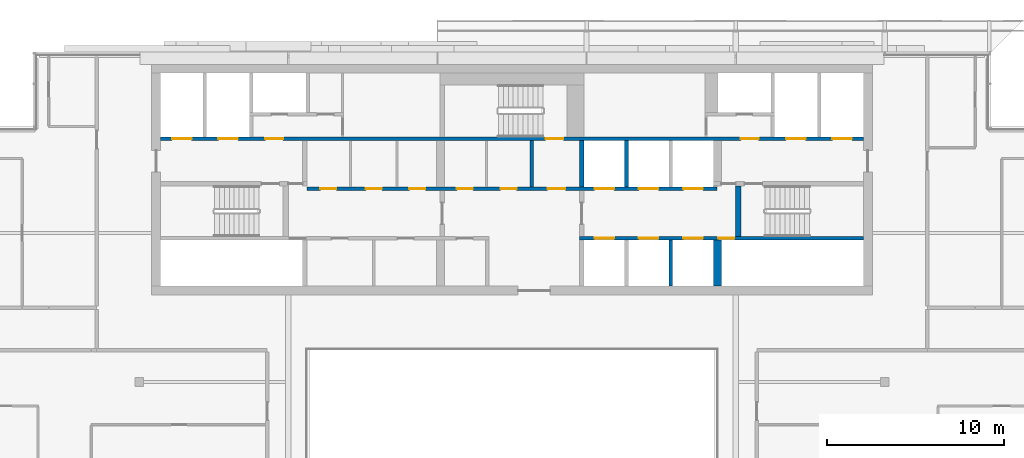
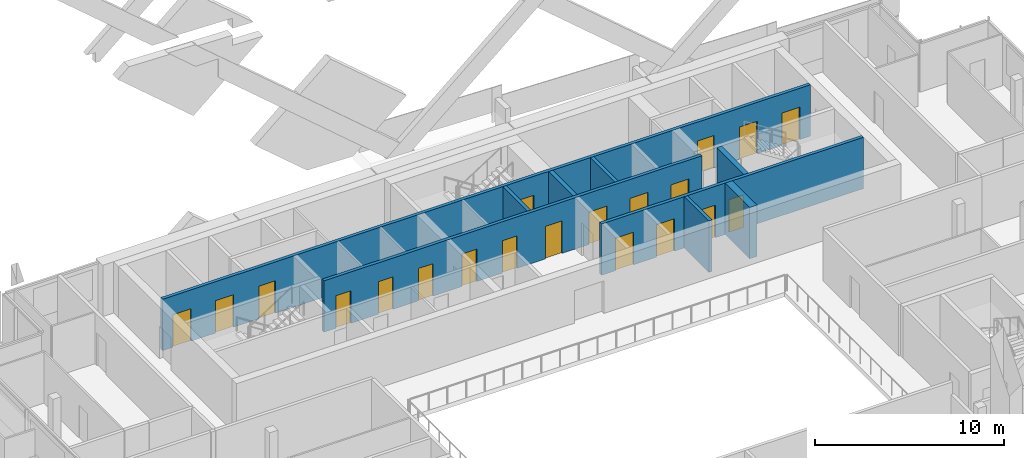
# One storey, part 14 of 22: 20 doors, 9 walls, 20 openings.
"""IFC4 building model written with IfcOpenShell, lengths in metres."""

from ifc_helpers import new_model, si_unit, direction, frame, frame_2d, origin, place, context, subcontext, project, spatial, rectangle, extrude, material, layer, layer_set, type_object, element, fill, save


model = new_model("IFC4")

# Units and contexts
model_context = context("Model", 3, precision=1e-05, world=origin(), true_north=direction((0.0, 1.0)))
body_context = subcontext(model_context, "Body", "Model", "MODEL_VIEW")
ifc_project = project(units=[si_unit("LENGTHUNIT", "METRE"), si_unit("AREAUNIT", "SQUARE_METRE"), si_unit("VOLUMEUNIT", "CUBIC_METRE"), si_unit("PLANEANGLEUNIT", "RADIAN"), si_unit("MASSUNIT", "GRAM", prefix="KILO")], contexts=[model_context])

# Site, building, storey
site_placement = place(None, origin())
site = spatial("IfcSite", under=ifc_project, at=site_placement, CompositionType="ELEMENT")
building_placement = place(site_placement, origin())
building = spatial("IfcBuilding", under=site, at=building_placement, Name="Saffron Gate Tower", CompositionType="ELEMENT")
storey_placement = place(building_placement, frame((0.0, 0.0, 285.14990234375)))
storey = spatial("IfcBuildingStorey", under=building, at=storey_placement, Name="L69", CompositionType="ELEMENT", Elevation=285.14990234375)

# Walls
ifc_material_1 = material(Name="Gypsum board partition on steel studs", Category="steel")
ifc_layer_1 = layer(ifc_material_1, 0.199951171875)
ifc_layer_set_1 = layer_set([ifc_layer_1], Name="CW10 Core partition 200")
wall_type_1 = type_object("IfcWallType", Name="CW10 Core partition 200", PredefinedType="PARTITIONING", material=ifc_layer_set_1)
wall_1_placement = place(storey_placement, frame((88.699951171875, 68.0, 0.0), z_axis=(0.0, 0.0, 1.0), x_axis=(0.0, 1.0, 0.0)))
element("IfcWall", 1, at=wall_1_placement, inside=storey, type_object=wall_type_1, Name="Wall CW10-L69-24", PredefinedType="PARTITIONING", context=body_context, shape_type="SweptSolid", body=[
    extrude(rectangle(XDim=2.60009765625, YDim=0.199951171875, at=frame_2d((1.300048828125, 0.0))), origin(), (0.0, 0.0, 1.0), 3.320068359375),
])
ifc_material_2 = material(Name="Concrete C50", Category="concrete")
ifc_layer_2 = layer(ifc_material_2, 0.25)
ifc_layer_set_2 = layer_set([ifc_layer_2], Name="CW23 RC core wall 250 C50")
wall_type_2 = type_object("IfcWallType", Name="CW23 RC core wall 250 C50", PredefinedType="SOLIDWALL", material=ifc_layer_set_2)
wall_2_placement = place(storey_placement, frame((91.52490234375, 68.0, 0.0), z_axis=(0.0, 0.0, 1.0), x_axis=(0.0, 1.0, 0.0)))
element("IfcWall", 2, at=wall_2_placement, inside=storey, type_object=wall_type_2, Name="Wall CW23-L69-25", PredefinedType="SOLIDWALL", context=body_context, shape_type="SweptSolid", body=[
    extrude(rectangle(XDim=2.60009765625, YDim=0.25, at=frame_2d((1.300048828125, 0.0))), origin(), (0.0, 0.0, 1.0), 3.320068359375),
])
ifc_layer_3 = layer(ifc_material_2, 0.449951171875)
ifc_layer_set_3 = layer_set([ifc_layer_3], Name="CW24 RC core wall 450 C50")
wall_type_3 = type_object("IfcWallType", Name="CW24 RC core wall 450 C50", PredefinedType="SOLIDWALL", material=ifc_layer_set_3)
wall_3_placement = place(storey_placement, frame((99.175048828125, 62.39990234375, 0.0), z_axis=(0.0, 0.0, 1.0), x_axis=(0.0, 1.0, 0.0)))
element("IfcWall", 3, at=wall_3_placement, inside=storey, type_object=wall_type_3, Name="Wall CW24-L69-12", PredefinedType="SOLIDWALL", context=body_context, shape_type="SweptSolid", body=[
    extrude(rectangle(XDim=2.60009765625, YDim=0.449951171875, at=frame_2d((1.300048828125, 0.0))), origin(), (0.0, 0.0, 1.0), 3.320068359375),
])
ifc_layer_4 = layer(ifc_material_2, 0.199951171875)
ifc_layer_set_4 = layer_set([ifc_layer_4], Name="CW25 RC core wall 200 C50")
wall_type_4 = type_object("IfcWallType", Name="CW25 RC core wall 200 C50", PredefinedType="SOLIDWALL", material=ifc_layer_set_4)
wall_4_placement = place(storey_placement, frame((96.550048828125, 62.39990234375, 0.0), z_axis=(0.0, 0.0, 1.0), x_axis=(0.0, 1.0, 0.0)))
element("IfcWall", 4, at=wall_4_placement, inside=storey, type_object=wall_type_4, Name="Wall CW25-L69-11", PredefinedType="SOLIDWALL", context=body_context, shape_type="SweptSolid", body=[
    extrude(rectangle(XDim=2.60009765625, YDim=0.199951171875, at=frame_2d((1.300048828125, 0.0))), origin(), (0.0, 0.0, 1.0), 3.320068359375),
])

# Wall, openings, doors
wall_5_placement = place(storey_placement, frame((91.39990234375, 65.10009765625, 0.0), z_axis=(0.0, 0.0, 1.0), x_axis=(1.0, 0.0, 0.0)))
wall_5 = element("IfcWall", 5, at=wall_5_placement, inside=storey, type_object=wall_type_4, Name="Wall CW25-L69-14", PredefinedType="SOLIDWALL", context=body_context, shape_type="SweptSolid", body=[
    extrude(rectangle(XDim=16.0, YDim=0.199951171875, at=frame_2d((8.0, 0.0))), origin(), (0.0, 0.0, 1.0), 3.320068359375),
])
opening_1_placement = place(wall_5_placement, frame((0.85009765625, 0.0, 0.0)))
opening_1 = element("IfcOpeningElement", 6, at=opening_1_placement, cuts=wall_5, Name="Opening LD-HR1", PredefinedType="OPENING", context=body_context, shape_type="SweptSolid", body=[
    extrude(rectangle(XDim=1.10009765625, YDim=2.10009765625, at=frame_2d((0.550048828125, 1.050048828125))), frame((0.0, 0.10986328125, 0.0), z_axis=(0.0, -1.0, 0.0), x_axis=(1.0, 0.0, 0.0)), (0.0, 0.0, 1.0), 0.219970703125),
])
opening_2_placement = place(wall_5_placement, frame((3.35009765625, 0.0, 0.0)))
opening_2 = element("IfcOpeningElement", 7, at=opening_2_placement, cuts=wall_5, Name="Opening LD-HR2", PredefinedType="OPENING", context=body_context, shape_type="SweptSolid", body=[
    extrude(rectangle(XDim=1.10009765625, YDim=2.10009765625, at=frame_2d((0.550048828125, 1.050048828125))), frame((0.0, 0.10986328125, 0.0), z_axis=(0.0, -1.0, 0.0), x_axis=(1.0, 0.0, 0.0)), (0.0, 0.0, 1.0), 0.219970703125),
])
opening_3_placement = place(wall_5_placement, frame((5.85009765625, 0.0, 0.0)))
opening_3 = element("IfcOpeningElement", 8, at=opening_3_placement, cuts=wall_5, Name="Opening LD-HR3", PredefinedType="OPENING", context=body_context, shape_type="SweptSolid", body=[
    extrude(rectangle(XDim=1.10009765625, YDim=2.10009765625, at=frame_2d((0.550048828125, 1.050048828125))), frame((0.0, 0.10986328125, 0.0), z_axis=(0.0, -1.0, 0.0), x_axis=(1.0, 0.0, 0.0)), (0.0, 0.0, 1.0), 0.219970703125),
])
opening_4_placement = place(wall_5_placement, frame((7.830078125, 0.0, 0.0)))
opening_4 = element("IfcOpeningElement", 9, at=opening_4_placement, cuts=wall_5, Name="Opening CR-48", PredefinedType="OPENING", context=body_context, shape_type="SweptSolid", body=[
    extrude(rectangle(XDim=0.89990234375, YDim=2.10009765625, at=frame_2d((0.449951171875, 1.050048828125))), frame((0.0, 0.10986328125, 0.0), z_axis=(0.0, -1.0, 0.0), x_axis=(1.0, 0.0, 0.0)), (0.0, 0.0, 1.0), 0.219970703125),
])
ifc_material_3 = material(Name="Steel fire door set", Category="steel")
door_type_1 = type_object("IfcDoorType", Name="CD2 Riser door 900x2100 EI 60", OperationType="NOTDEFINED", PredefinedType="DOOR", material=ifc_material_3)
door_1_placement = place(opening_4_placement, origin())
door_1 = element("IfcDoor", 10, at=door_1_placement, inside=storey, type_object=door_type_1, Name="DOOR CR-48", OperationType="SINGLE_SWING_RIGHT", OverallHeight=2.10009765625, OverallWidth=0.89990234375, PredefinedType="DOOR", context=body_context, shape_type="SweptSolid", body=[
    extrude(rectangle(XDim=0.89990234375, YDim=2.10009765625, at=frame_2d((0.449951171875, 1.050048828125))), frame((0.0, 0.02490234375, 0.0), z_axis=(0.0, -1.0, 0.0), x_axis=(1.0, 0.0, 0.0)), (0.0, 0.0, 1.0), 0.050048828125),
])
fill(opening_4, door_1)
ifc_material_4 = material(Name="Stainless steel landing door", Category="steel")
door_type_2 = type_object("IfcDoorType", Name="LD Lift landing door 1100x2100 EI 120", OperationType="SLIDING_TO_LEFT", PredefinedType="DOOR", material=ifc_material_4)
door_2_placement = place(opening_1_placement, origin())
door_2 = element("IfcDoor", 11, at=door_2_placement, inside=storey, type_object=door_type_2, Name="LANDING DOOR LD-HR1", OperationType="SLIDING_TO_LEFT", OverallHeight=2.10009765625, OverallWidth=1.10009765625, PredefinedType="DOOR", context=body_context, shape_type="SweptSolid", body=[
    extrude(rectangle(XDim=1.10009765625, YDim=2.10009765625, at=frame_2d((0.550048828125, 1.050048828125))), frame((0.0, 0.02490234375, 0.0), z_axis=(0.0, -1.0, 0.0), x_axis=(1.0, 0.0, 0.0)), (0.0, 0.0, 1.0), 0.050048828125),
])
fill(opening_1, door_2)
door_3_placement = place(opening_2_placement, origin())
door_3 = element("IfcDoor", 12, at=door_3_placement, inside=storey, type_object=door_type_2, Name="LANDING DOOR LD-HR2", OperationType="SLIDING_TO_LEFT", OverallHeight=2.10009765625, OverallWidth=1.10009765625, PredefinedType="DOOR", context=body_context, shape_type="SweptSolid", body=[
    extrude(rectangle(XDim=1.10009765625, YDim=2.10009765625, at=frame_2d((0.550048828125, 1.050048828125))), frame((0.0, 0.02490234375, 0.0), z_axis=(0.0, -1.0, 0.0), x_axis=(1.0, 0.0, 0.0)), (0.0, 0.0, 1.0), 0.050048828125),
])
fill(opening_2, door_3)
door_4_placement = place(opening_3_placement, origin())
door_4 = element("IfcDoor", 13, at=door_4_placement, inside=storey, type_object=door_type_2, Name="LANDING DOOR LD-HR3", OperationType="SLIDING_TO_LEFT", OverallHeight=2.10009765625, OverallWidth=1.10009765625, PredefinedType="DOOR", context=body_context, shape_type="SweptSolid", body=[
    extrude(rectangle(XDim=1.10009765625, YDim=2.10009765625, at=frame_2d((0.550048828125, 1.050048828125))), frame((0.0, 0.02490234375, 0.0), z_axis=(0.0, -1.0, 0.0), x_axis=(1.0, 0.0, 0.0)), (0.0, 0.0, 1.0), 0.050048828125),
])
fill(opening_3, door_4)

wall_6_placement = place(storey_placement, frame((76.050048828125, 67.89990234375, 0.0), z_axis=(0.0, 0.0, 1.0), x_axis=(1.0, 0.0, 0.0)))
wall_6 = element("IfcWall", 14, at=wall_6_placement, inside=storey, type_object=wall_type_4, Name="Wall CW25-L69-19", PredefinedType="SOLIDWALL", context=body_context, shape_type="SweptSolid", body=[
    extrude(rectangle(XDim=23.099853515625, YDim=0.199951171875, at=frame_2d((11.5498046875, 0.0))), origin(), (0.0, 0.0, 1.0), 3.320068359375),
])
opening_5_placement = place(wall_6_placement, frame((0.75, 0.0, 0.0)))
opening_5 = element("IfcOpeningElement", 15, at=opening_5_placement, cuts=wall_6, Name="Opening CR-61", PredefinedType="OPENING", context=body_context, shape_type="SweptSolid", body=[
    extrude(rectangle(XDim=0.89990234375, YDim=2.10009765625, at=frame_2d((0.449951171875, 1.050048828125))), frame((0.0, 0.10986328125, 0.0), z_axis=(0.0, -1.0, 0.0), x_axis=(1.0, 0.0, 0.0)), (0.0, 0.0, 1.0), 0.219970703125),
])
opening_6_placement = place(wall_6_placement, frame((3.320068359375, 0.0, 0.0)))
opening_6 = element("IfcOpeningElement", 16, at=opening_6_placement, cuts=wall_6, Name="Opening CR-62", PredefinedType="OPENING", context=body_context, shape_type="SweptSolid", body=[
    extrude(rectangle(XDim=0.89990234375, YDim=2.10009765625, at=frame_2d((0.449951171875, 1.050048828125))), frame((0.0, 0.10986328125, 0.0), z_axis=(0.0, -1.0, 0.0), x_axis=(1.0, 0.0, 0.0)), (0.0, 0.0, 1.0), 0.219970703125),
])
opening_7_placement = place(wall_6_placement, frame((5.77001953125, 0.0, 0.0)))
opening_7 = element("IfcOpeningElement", 17, at=opening_7_placement, cuts=wall_6, Name="Opening CR-63", PredefinedType="OPENING", context=body_context, shape_type="SweptSolid", body=[
    extrude(rectangle(XDim=0.89990234375, YDim=2.10009765625, at=frame_2d((0.449951171875, 1.050048828125))), frame((0.0, 0.10986328125, 0.0), z_axis=(0.0, -1.0, 0.0), x_axis=(1.0, 0.0, 0.0)), (0.0, 0.0, 1.0), 0.219970703125),
])
opening_8_placement = place(wall_6_placement, frame((8.449951171875, 0.0, 0.0)))
opening_8 = element("IfcOpeningElement", 18, at=opening_8_placement, cuts=wall_6, Name="Opening CR-67", PredefinedType="OPENING", context=body_context, shape_type="SweptSolid", body=[
    extrude(rectangle(XDim=0.89990234375, YDim=2.10009765625, at=frame_2d((0.449951171875, 1.050048828125))), frame((0.0, 0.10986328125, 0.0), z_axis=(0.0, -1.0, 0.0), x_axis=(1.0, 0.0, 0.0)), (0.0, 0.0, 1.0), 0.219970703125),
])
opening_9_placement = place(wall_6_placement, frame((10.909912109375, 0.0, 0.0)))
opening_9 = element("IfcOpeningElement", 19, at=opening_9_placement, cuts=wall_6, Name="Opening CR-68", PredefinedType="OPENING", context=body_context, shape_type="SweptSolid", body=[
    extrude(rectangle(XDim=0.89990234375, YDim=2.10009765625, at=frame_2d((0.449951171875, 1.050048828125))), frame((0.0, 0.10986328125, 0.0), z_axis=(0.0, -1.0, 0.0), x_axis=(1.0, 0.0, 0.0)), (0.0, 0.0, 1.0), 0.219970703125),
])
opening_10_placement = place(wall_6_placement, frame((13.550048828125, 0.0, 0.0)))
opening_10 = element("IfcOpeningElement", 20, at=opening_10_placement, cuts=wall_6, Name="Opening CR-02", PredefinedType="OPENING", context=body_context, shape_type="SweptSolid", body=[
    extrude(rectangle(XDim=1.0, YDim=2.10009765625, at=frame_2d((0.5, 1.050048828125))), frame((0.0, 0.10986328125, 0.0), z_axis=(0.0, -1.0, 0.0), x_axis=(1.0, 0.0, 0.0)), (0.0, 0.0, 1.0), 0.219970703125),
])
opening_11_placement = place(wall_6_placement, frame((16.199951171875, 0.0, 0.0)))
opening_11 = element("IfcOpeningElement", 21, at=opening_11_placement, cuts=wall_6, Name="Opening LD-HR4", PredefinedType="OPENING", context=body_context, shape_type="SweptSolid", body=[
    extrude(rectangle(XDim=1.10009765625, YDim=2.10009765625, at=frame_2d((0.550048828125, 1.050048828125))), frame((0.0, 0.10986328125, 0.0), z_axis=(0.0, -1.0, 0.0), x_axis=(1.0, 0.0, 0.0)), (0.0, 0.0, 1.0), 0.219970703125),
])
opening_12_placement = place(wall_6_placement, frame((18.699951171875, 0.0, 0.0)))
opening_12 = element("IfcOpeningElement", 22, at=opening_12_placement, cuts=wall_6, Name="Opening LD-HR5", PredefinedType="OPENING", context=body_context, shape_type="SweptSolid", body=[
    extrude(rectangle(XDim=1.10009765625, YDim=2.10009765625, at=frame_2d((0.550048828125, 1.050048828125))), frame((0.0, 0.10986328125, 0.0), z_axis=(0.0, -1.0, 0.0), x_axis=(1.0, 0.0, 0.0)), (0.0, 0.0, 1.0), 0.219970703125),
])
opening_13_placement = place(wall_6_placement, frame((21.199951171875, 0.0, 0.0)))
opening_13 = element("IfcOpeningElement", 23, at=opening_13_placement, cuts=wall_6, Name="Opening LD-HR6", PredefinedType="OPENING", context=body_context, shape_type="SweptSolid", body=[
    extrude(rectangle(XDim=1.10009765625, YDim=2.10009765625, at=frame_2d((0.550048828125, 1.050048828125))), frame((0.0, 0.10986328125, 0.0), z_axis=(0.0, -1.0, 0.0), x_axis=(1.0, 0.0, 0.0)), (0.0, 0.0, 1.0), 0.219970703125),
])
door_type_3 = type_object("IfcDoorType", Name="CD4 Lobby door 1000x2100 EI 120", OperationType="NOTDEFINED", PredefinedType="DOOR", material=ifc_material_3)
door_5_placement = place(opening_10_placement, origin())
door_5 = element("IfcDoor", 24, at=door_5_placement, inside=storey, type_object=door_type_3, Name="DOOR CR-02", OperationType="SINGLE_SWING_LEFT", OverallHeight=2.10009765625, OverallWidth=1.0, PredefinedType="DOOR", context=body_context, shape_type="SweptSolid", body=[
    extrude(rectangle(XDim=1.0, YDim=2.10009765625, at=frame_2d((0.5, 1.050048828125))), frame((0.0, 0.02490234375, 0.0), z_axis=(0.0, -1.0, 0.0), x_axis=(1.0, 0.0, 0.0)), (0.0, 0.0, 1.0), 0.050048828125),
])
fill(opening_10, door_5)
door_type_4 = type_object("IfcDoorType", Name="CD9 Room door 900x2100 EI 60", OperationType="NOTDEFINED", PredefinedType="DOOR", material=ifc_material_3)
door_6_placement = place(opening_5_placement, origin())
door_6 = element("IfcDoor", 25, at=door_6_placement, inside=storey, type_object=door_type_4, Name="DOOR CR-61", OperationType="SINGLE_SWING_LEFT", OverallHeight=2.10009765625, OverallWidth=0.89990234375, PredefinedType="DOOR", context=body_context, shape_type="SweptSolid", body=[
    extrude(rectangle(XDim=0.89990234375, YDim=2.10009765625, at=frame_2d((0.449951171875, 1.050048828125))), frame((0.0, 0.02490234375, 0.0), z_axis=(0.0, -1.0, 0.0), x_axis=(1.0, 0.0, 0.0)), (0.0, 0.0, 1.0), 0.050048828125),
])
fill(opening_5, door_6)
door_7_placement = place(opening_6_placement, origin())
door_7 = element("IfcDoor", 26, at=door_7_placement, inside=storey, type_object=door_type_4, Name="DOOR CR-62", OperationType="SINGLE_SWING_LEFT", OverallHeight=2.10009765625, OverallWidth=0.89990234375, PredefinedType="DOOR", context=body_context, shape_type="SweptSolid", body=[
    extrude(rectangle(XDim=0.89990234375, YDim=2.10009765625, at=frame_2d((0.449951171875, 1.050048828125))), frame((0.0, 0.02490234375, 0.0), z_axis=(0.0, -1.0, 0.0), x_axis=(1.0, 0.0, 0.0)), (0.0, 0.0, 1.0), 0.050048828125),
])
fill(opening_6, door_7)
door_8_placement = place(opening_7_placement, origin())
door_8 = element("IfcDoor", 27, at=door_8_placement, inside=storey, type_object=door_type_4, Name="DOOR CR-63", OperationType="SINGLE_SWING_LEFT", OverallHeight=2.10009765625, OverallWidth=0.89990234375, PredefinedType="DOOR", context=body_context, shape_type="SweptSolid", body=[
    extrude(rectangle(XDim=0.89990234375, YDim=2.10009765625, at=frame_2d((0.449951171875, 1.050048828125))), frame((0.0, 0.02490234375, 0.0), z_axis=(0.0, -1.0, 0.0), x_axis=(1.0, 0.0, 0.0)), (0.0, 0.0, 1.0), 0.050048828125),
])
fill(opening_7, door_8)
door_9_placement = place(opening_8_placement, origin())
door_9 = element("IfcDoor", 28, at=door_9_placement, inside=storey, type_object=door_type_4, Name="DOOR CR-67", OperationType="SINGLE_SWING_LEFT", OverallHeight=2.10009765625, OverallWidth=0.89990234375, PredefinedType="DOOR", context=body_context, shape_type="SweptSolid", body=[
    extrude(rectangle(XDim=0.89990234375, YDim=2.10009765625, at=frame_2d((0.449951171875, 1.050048828125))), frame((0.0, 0.02490234375, 0.0), z_axis=(0.0, -1.0, 0.0), x_axis=(1.0, 0.0, 0.0)), (0.0, 0.0, 1.0), 0.050048828125),
])
fill(opening_8, door_9)
door_10_placement = place(opening_9_placement, origin())
door_10 = element("IfcDoor", 29, at=door_10_placement, inside=storey, type_object=door_type_4, Name="DOOR CR-68", OperationType="SINGLE_SWING_LEFT", OverallHeight=2.10009765625, OverallWidth=0.89990234375, PredefinedType="DOOR", context=body_context, shape_type="SweptSolid", body=[
    extrude(rectangle(XDim=0.89990234375, YDim=2.10009765625, at=frame_2d((0.449951171875, 1.050048828125))), frame((0.0, 0.02490234375, 0.0), z_axis=(0.0, -1.0, 0.0), x_axis=(1.0, 0.0, 0.0)), (0.0, 0.0, 1.0), 0.050048828125),
])
fill(opening_9, door_10)
door_11_placement = place(opening_11_placement, origin())
door_11 = element("IfcDoor", 30, at=door_11_placement, inside=storey, type_object=door_type_2, Name="LANDING DOOR LD-HR4", OperationType="SLIDING_TO_RIGHT", OverallHeight=2.10009765625, OverallWidth=1.10009765625, PredefinedType="DOOR", context=body_context, shape_type="SweptSolid", body=[
    extrude(rectangle(XDim=1.10009765625, YDim=2.10009765625, at=frame_2d((0.550048828125, 1.050048828125))), frame((0.0, 0.02490234375, 0.0), z_axis=(0.0, -1.0, 0.0), x_axis=(1.0, 0.0, 0.0)), (0.0, 0.0, 1.0), 0.050048828125),
])
fill(opening_11, door_11)
door_12_placement = place(opening_12_placement, origin())
door_12 = element("IfcDoor", 31, at=door_12_placement, inside=storey, type_object=door_type_2, Name="LANDING DOOR LD-HR5", OperationType="SLIDING_TO_RIGHT", OverallHeight=2.10009765625, OverallWidth=1.10009765625, PredefinedType="DOOR", context=body_context, shape_type="SweptSolid", body=[
    extrude(rectangle(XDim=1.10009765625, YDim=2.10009765625, at=frame_2d((0.550048828125, 1.050048828125))), frame((0.0, 0.02490234375, 0.0), z_axis=(0.0, -1.0, 0.0), x_axis=(1.0, 0.0, 0.0)), (0.0, 0.0, 1.0), 0.050048828125),
])
fill(opening_12, door_12)
door_13_placement = place(opening_13_placement, origin())
door_13 = element("IfcDoor", 32, at=door_13_placement, inside=storey, type_object=door_type_2, Name="LANDING DOOR LD-HR6", OperationType="SLIDING_TO_RIGHT", OverallHeight=2.10009765625, OverallWidth=1.10009765625, PredefinedType="DOOR", context=body_context, shape_type="SweptSolid", body=[
    extrude(rectangle(XDim=1.10009765625, YDim=2.10009765625, at=frame_2d((0.550048828125, 1.050048828125))), frame((0.0, 0.02490234375, 0.0), z_axis=(0.0, -1.0, 0.0), x_axis=(1.0, 0.0, 0.0)), (0.0, 0.0, 1.0), 0.050048828125),
])
fill(opening_13, door_13)

# Wall
wall_7_placement = place(storey_placement, frame((94.050048828125, 68.0, 0.0), z_axis=(0.0, 0.0, 1.0), x_axis=(0.0, 1.0, 0.0)))
element("IfcWall", 33, at=wall_7_placement, inside=storey, type_object=wall_type_4, Name="Wall CW25-L69-26", PredefinedType="SOLIDWALL", context=body_context, shape_type="SweptSolid", body=[
    extrude(rectangle(XDim=2.60009765625, YDim=0.199951171875, at=frame_2d((1.300048828125, 0.0))), origin(), (0.0, 0.0, 1.0), 3.320068359375),
])

# Wall, openings, doors
wall_8_placement = place(storey_placement, frame((67.800048828125, 70.699951171875, 0.0), z_axis=(0.0, 0.0, 1.0), x_axis=(1.0, 0.0, 0.0)))
wall_8 = element("IfcWall", 34, at=wall_8_placement, inside=storey, type_object=wall_type_4, Name="Wall CW25-L69-33", PredefinedType="SOLIDWALL", context=body_context, shape_type="SweptSolid", body=[
    extrude(rectangle(XDim=39.599853515625, YDim=0.199951171875, at=frame_2d((19.7998046875, 0.0))), origin(), (0.0, 0.0, 1.0), 3.320068359375),
])
opening_14_placement = place(wall_8_placement, frame((0.64990234375, 0.0, 0.0)))
opening_14 = element("IfcOpeningElement", 35, at=opening_14_placement, cuts=wall_8, Name="Opening LD-FF1", PredefinedType="OPENING", context=body_context, shape_type="SweptSolid", body=[
    extrude(rectangle(XDim=1.10009765625, YDim=2.10009765625, at=frame_2d((0.550048828125, 1.050048828125))), frame((0.0, 0.10986328125, 0.0), z_axis=(0.0, -1.0, 0.0), x_axis=(1.0, 0.0, 0.0)), (0.0, 0.0, 1.0), 0.219970703125),
])
opening_15_placement = place(wall_8_placement, frame((3.25, 0.0, 0.0)))
opening_15 = element("IfcOpeningElement", 36, at=opening_15_placement, cuts=wall_8, Name="Opening LD-SV1", PredefinedType="OPENING", context=body_context, shape_type="SweptSolid", body=[
    extrude(rectangle(XDim=1.10009765625, YDim=2.10009765625, at=frame_2d((0.550048828125, 1.050048828125))), frame((0.0, 0.10986328125, 0.0), z_axis=(0.0, -1.0, 0.0), x_axis=(1.0, 0.0, 0.0)), (0.0, 0.0, 1.0), 0.219970703125),
])
opening_16_placement = place(wall_8_placement, frame((5.89990234375, 0.0, 0.0)))
opening_16 = element("IfcOpeningElement", 37, at=opening_16_placement, cuts=wall_8, Name="Opening CR-03", PredefinedType="OPENING", context=body_context, shape_type="SweptSolid", body=[
    extrude(rectangle(XDim=1.0, YDim=2.10009765625, at=frame_2d((0.5, 1.050048828125))), frame((0.0, 0.10986328125, 0.0), z_axis=(0.0, -1.0, 0.0), x_axis=(1.0, 0.0, 0.0)), (0.0, 0.0, 1.0), 0.219970703125),
])
opening_17_placement = place(wall_8_placement, frame((21.699951171875, 0.0, 0.0)))
opening_17 = element("IfcOpeningElement", 38, at=opening_17_placement, cuts=wall_8, Name="Opening CR-17", PredefinedType="OPENING", context=body_context, shape_type="SweptSolid", body=[
    extrude(rectangle(XDim=1.0, YDim=2.10009765625, at=frame_2d((0.5, 1.050048828125))), frame((0.0, 0.10986328125, 0.0), z_axis=(0.0, -1.0, 0.0), x_axis=(1.0, 0.0, 0.0)), (0.0, 0.0, 1.0), 0.219970703125),
])
opening_18_placement = place(wall_8_placement, frame((32.699951171875, 0.0, 0.0)))
opening_18 = element("IfcOpeningElement", 39, at=opening_18_placement, cuts=wall_8, Name="Opening CR-04", PredefinedType="OPENING", context=body_context, shape_type="SweptSolid", body=[
    extrude(rectangle(XDim=1.0, YDim=2.10009765625, at=frame_2d((0.5, 1.050048828125))), frame((0.0, 0.10986328125, 0.0), z_axis=(0.0, -1.0, 0.0), x_axis=(1.0, 0.0, 0.0)), (0.0, 0.0, 1.0), 0.219970703125),
])
opening_19_placement = place(wall_8_placement, frame((35.25, 0.0, 0.0)))
opening_19 = element("IfcOpeningElement", 40, at=opening_19_placement, cuts=wall_8, Name="Opening LD-SV2", PredefinedType="OPENING", context=body_context, shape_type="SweptSolid", body=[
    extrude(rectangle(XDim=1.10009765625, YDim=2.10009765625, at=frame_2d((0.550048828125, 1.050048828125))), frame((0.0, 0.10986328125, 0.0), z_axis=(0.0, -1.0, 0.0), x_axis=(1.0, 0.0, 0.0)), (0.0, 0.0, 1.0), 0.219970703125),
])
opening_20_placement = place(wall_8_placement, frame((37.85009765625, 0.0, 0.0)))
opening_20 = element("IfcOpeningElement", 41, at=opening_20_placement, cuts=wall_8, Name="Opening LD-FF2", PredefinedType="OPENING", context=body_context, shape_type="SweptSolid", body=[
    extrude(rectangle(XDim=1.10009765625, YDim=2.10009765625, at=frame_2d((0.550048828125, 1.050048828125))), frame((0.0, 0.10986328125, 0.0), z_axis=(0.0, -1.0, 0.0), x_axis=(1.0, 0.0, 0.0)), (0.0, 0.0, 1.0), 0.219970703125),
])
door_14_placement = place(opening_16_placement, origin())
door_14 = element("IfcDoor", 42, at=door_14_placement, inside=storey, type_object=door_type_3, Name="DOOR CR-03", OperationType="SINGLE_SWING_LEFT", OverallHeight=2.10009765625, OverallWidth=1.0, PredefinedType="DOOR", context=body_context, shape_type="SweptSolid", body=[
    extrude(rectangle(XDim=1.0, YDim=2.10009765625, at=frame_2d((0.5, 1.050048828125))), frame((0.0, 0.02490234375, 0.0), z_axis=(0.0, -1.0, 0.0), x_axis=(1.0, 0.0, 0.0)), (0.0, 0.0, 1.0), 0.050048828125),
])
fill(opening_16, door_14)
door_15_placement = place(opening_18_placement, origin())
door_15 = element("IfcDoor", 43, at=door_15_placement, inside=storey, type_object=door_type_3, Name="DOOR CR-04", OperationType="SINGLE_SWING_RIGHT", OverallHeight=2.10009765625, OverallWidth=1.0, PredefinedType="DOOR", context=body_context, shape_type="SweptSolid", body=[
    extrude(rectangle(XDim=1.0, YDim=2.10009765625, at=frame_2d((0.5, 1.050048828125))), frame((0.0, 0.02490234375, 0.0), z_axis=(0.0, -1.0, 0.0), x_axis=(1.0, 0.0, 0.0)), (0.0, 0.0, 1.0), 0.050048828125),
])
fill(opening_18, door_15)
door_type_5 = type_object("IfcDoorType", Name="CD5 Stair door 1000x2100 EI 120", OperationType="NOTDEFINED", PredefinedType="DOOR", material=ifc_material_3)
door_16_placement = place(opening_17_placement, origin())
door_16 = element("IfcDoor", 44, at=door_16_placement, inside=storey, type_object=door_type_5, Name="DOOR CR-17", OperationType="SINGLE_SWING_RIGHT", OverallHeight=2.10009765625, OverallWidth=1.0, PredefinedType="DOOR", context=body_context, shape_type="SweptSolid", body=[
    extrude(rectangle(XDim=1.0, YDim=2.10009765625, at=frame_2d((0.5, 1.050048828125))), frame((0.0, 0.02490234375, 0.0), z_axis=(0.0, -1.0, 0.0), x_axis=(1.0, 0.0, 0.0)), (0.0, 0.0, 1.0), 0.050048828125),
])
fill(opening_17, door_16)
door_17_placement = place(opening_14_placement, origin())
door_17 = element("IfcDoor", 45, at=door_17_placement, inside=storey, type_object=door_type_2, Name="LANDING DOOR LD-FF1", OperationType="SLIDING_TO_RIGHT", OverallHeight=2.10009765625, OverallWidth=1.10009765625, PredefinedType="DOOR", context=body_context, shape_type="SweptSolid", body=[
    extrude(rectangle(XDim=1.10009765625, YDim=2.10009765625, at=frame_2d((0.550048828125, 1.050048828125))), frame((0.0, 0.02490234375, 0.0), z_axis=(0.0, -1.0, 0.0), x_axis=(1.0, 0.0, 0.0)), (0.0, 0.0, 1.0), 0.050048828125),
])
fill(opening_14, door_17)
door_18_placement = place(opening_15_placement, origin())
door_18 = element("IfcDoor", 46, at=door_18_placement, inside=storey, type_object=door_type_2, Name="LANDING DOOR LD-SV1", OperationType="SLIDING_TO_RIGHT", OverallHeight=2.10009765625, OverallWidth=1.10009765625, PredefinedType="DOOR", context=body_context, shape_type="SweptSolid", body=[
    extrude(rectangle(XDim=1.10009765625, YDim=2.10009765625, at=frame_2d((0.550048828125, 1.050048828125))), frame((0.0, 0.02490234375, 0.0), z_axis=(0.0, -1.0, 0.0), x_axis=(1.0, 0.0, 0.0)), (0.0, 0.0, 1.0), 0.050048828125),
])
fill(opening_15, door_18)
door_19_placement = place(opening_19_placement, origin())
door_19 = element("IfcDoor", 47, at=door_19_placement, inside=storey, type_object=door_type_2, Name="LANDING DOOR LD-SV2", OperationType="SLIDING_TO_RIGHT", OverallHeight=2.10009765625, OverallWidth=1.10009765625, PredefinedType="DOOR", context=body_context, shape_type="SweptSolid", body=[
    extrude(rectangle(XDim=1.10009765625, YDim=2.10009765625, at=frame_2d((0.550048828125, 1.050048828125))), frame((0.0, 0.02490234375, 0.0), z_axis=(0.0, -1.0, 0.0), x_axis=(1.0, 0.0, 0.0)), (0.0, 0.0, 1.0), 0.050048828125),
])
fill(opening_19, door_19)
door_20_placement = place(opening_20_placement, origin())
door_20 = element("IfcDoor", 48, at=door_20_placement, inside=storey, type_object=door_type_2, Name="LANDING DOOR LD-FF2", OperationType="SLIDING_TO_RIGHT", OverallHeight=2.10009765625, OverallWidth=1.10009765625, PredefinedType="DOOR", context=body_context, shape_type="SweptSolid", body=[
    extrude(rectangle(XDim=1.10009765625, YDim=2.10009765625, at=frame_2d((0.550048828125, 1.050048828125))), frame((0.0, 0.02490234375, 0.0), z_axis=(0.0, -1.0, 0.0), x_axis=(1.0, 0.0, 0.0)), (0.0, 0.0, 1.0), 0.050048828125),
])
fill(opening_20, door_20)

# Wall
ifc_layer_5 = layer(ifc_material_2, 0.300048828125)
ifc_layer_set_5 = layer_set([ifc_layer_5], Name="CW26 RC core wall 300 C50")
wall_type_5 = type_object("IfcWallType", Name="CW26 RC core wall 300 C50", PredefinedType="SOLIDWALL", material=ifc_layer_set_5)
wall_9_placement = place(storey_placement, frame((100.35009765625, 65.199951171875, 0.0), z_axis=(0.0, 0.0, 1.0), x_axis=(0.0, 1.0, 0.0)))
element("IfcWall", 49, at=wall_9_placement, inside=storey, type_object=wall_type_5, Name="Wall CW26-L69-18", PredefinedType="SOLIDWALL", context=body_context, shape_type="SweptSolid", body=[
    extrude(rectangle(XDim=2.85009765625, YDim=0.300048828125, at=frame_2d((1.425048828125, 0.0))), origin(), (0.0, 0.0, 1.0), 3.320068359375),
])

save(model, "model.ifc")
